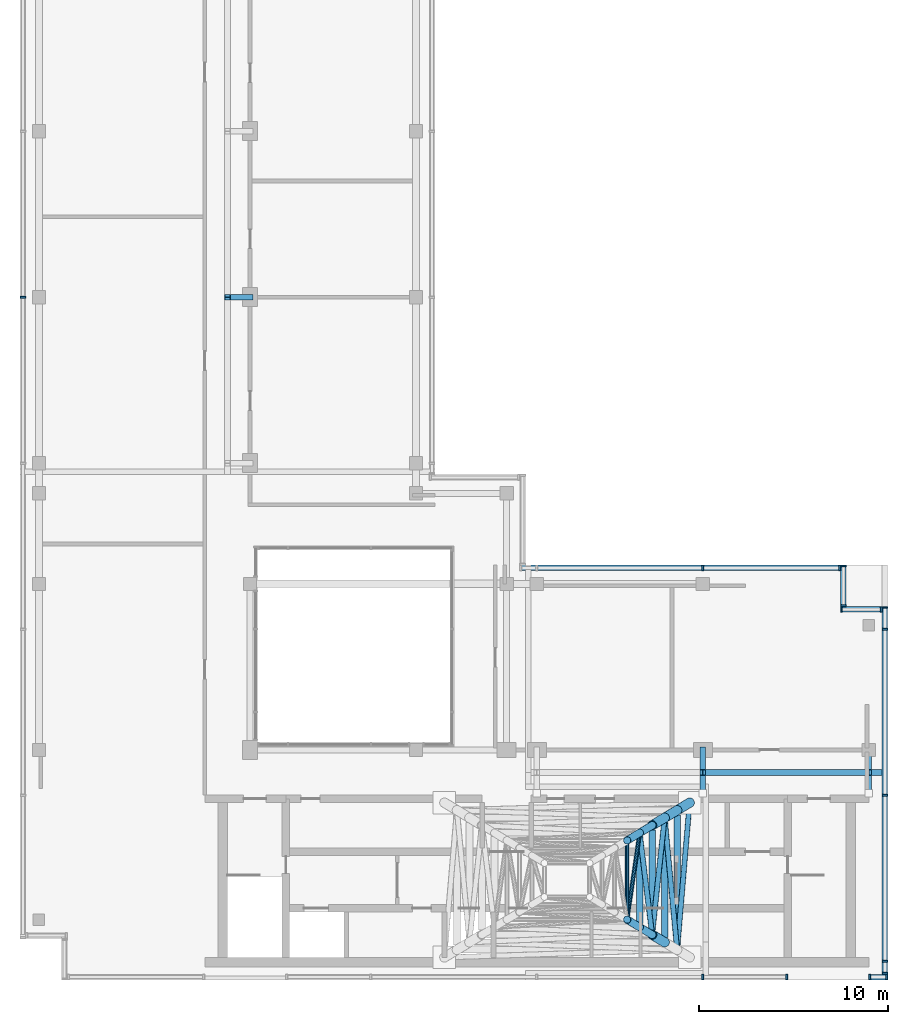
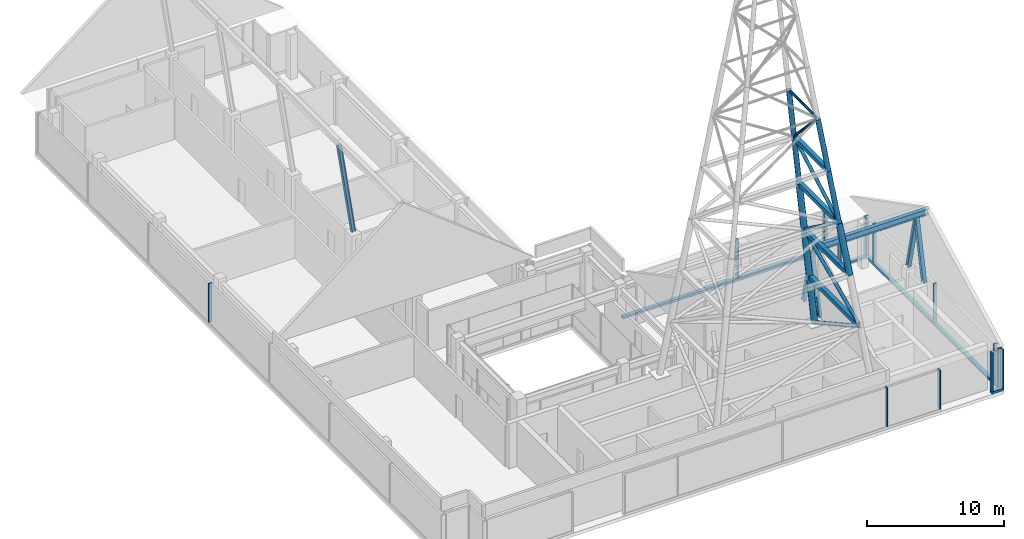
# One storey, part 7 of 13: 44 members, 1 beam, 7 elements without a shape of their own.
"""IFC4 building model written with IfcOpenShell, lengths in metres."""

import ifcopenshell
import ifcopenshell.guid

model = None  # the IFC model being written
_history = None  # IfcOwnerHistory: only IFC2X3 demands one
_inside = {}  # id of a spatial element -> (the spatial element, [elements in it])
_under = {}  # id of a project, library or spatial element -> (it, [spatial elements below it])
_declared = {}  # id of a project -> (the project, [libraries it declares])
_typed = {}  # id of a type object -> (the type object, [elements of that type])
_made_of = {}  # id of a material, layer set ... -> (it, [elements and type objects made of it])


def new_model(schema):
    """Start an empty IFC model of exactly this schema.

    Asked for "IFC4X3", IfcOpenShell would pick the latest addendum, in which some entities
    have other attributes; the version numbers below select the first issue.
    IFC2X3 requires an IfcOwnerHistory on every rooted entity: one is made here for all.
    """
    global model, _history
    if schema == "IFC4X3":
        model = ifcopenshell.file(schema_version=(4, 3, 0, 0))
    else:
        model = ifcopenshell.file(schema=schema)
    _inside.clear()
    _under.clear()
    _declared.clear()
    _typed.clear()
    _made_of.clear()
    _history = None
    if model.schema == "IFC2X3":
        org = make("IfcOrganization", Name="unknown")
        user = make(
            "IfcPersonAndOrganization",
            ThePerson=make("IfcPerson", FamilyName="unknown"),
            TheOrganization=org,
        )
        app = make(
            "IfcApplication",
            ApplicationDeveloper=org,
            Version="unknown",
            ApplicationFullName="unknown",
            ApplicationIdentifier="unknown",
        )
        _history = make(
            "IfcOwnerHistory",
            OwningUser=user,
            OwningApplication=app,
            ChangeAction="ADDED",
            CreationDate=0,
        )
    return model


def make(cls, **values):
    """One entity of the class cls with the attributes given. An attribute that is None is left unset."""
    return model.create_entity(
        cls, **{name: value for name, value in values.items() if value is not None}
    )


def rooted(cls, **values):
    """An entity with a GlobalId (a new one), such as an element, a storey or a relation."""
    return make(cls, GlobalId=ifcopenshell.guid.new(), OwnerHistory=_history, **values)


def si_unit(unit_type, name, prefix=None):
    """IfcSIUnit, for example si_unit("LENGTHUNIT", "METRE", prefix="MILLI")."""
    return make("IfcSIUnit", UnitType=unit_type, Prefix=prefix, Name=name)


def assignment(units):
    """IfcUnitAssignment: the units of a project."""
    return None if units is None else make("IfcUnitAssignment", Units=units)


def point(xyz):
    """IfcCartesianPoint."""
    return None if xyz is None else make("IfcCartesianPoint", Coordinates=xyz)


def direction(xyz):
    """IfcDirection."""
    return None if xyz is None else make("IfcDirection", DirectionRatios=xyz)


def frame(location, z_axis=None, x_axis=None):
    """IfcAxis2Placement3D, a coordinate frame: its origin and axes. An axis left out is left unset."""
    return make(
        "IfcAxis2Placement3D",
        Location=point(location),
        Axis=direction(z_axis),
        RefDirection=direction(x_axis),
    )


def frame_2d(location, x_axis=None):
    """IfcAxis2Placement2D, a coordinate frame in the plane: its origin and x axis."""
    return make(
        "IfcAxis2Placement2D", Location=point(location), RefDirection=direction(x_axis)
    )


def origin():
    """The frame at (0, 0, 0) with its axes left unset."""
    return frame((0.0, 0.0, 0.0))


def origin_2d():
    """The frame at (0, 0) in the plane with its x axis left unset."""
    return frame_2d((0.0, 0.0))


def place(relative_to, where):
    """IfcLocalPlacement: puts the frame where relative to a parent placement (None: the world)."""
    return make(
        "IfcLocalPlacement", PlacementRelTo=relative_to, RelativePlacement=where
    )


def context(
    kind, dimensions, precision=None, world=None, true_north=None, identifier=None
):
    """IfcGeometricRepresentationContext, for example the 3D "Model" context."""
    return make(
        "IfcGeometricRepresentationContext",
        ContextIdentifier=identifier,
        ContextType=kind,
        CoordinateSpaceDimension=dimensions,
        Precision=precision,
        WorldCoordinateSystem=world,
        TrueNorth=true_north,
    )


def subcontext(parent, identifier, kind, view, scale=None):
    """IfcGeometricRepresentationSubContext, for example "Body" below "Model"."""
    return make(
        "IfcGeometricRepresentationSubContext",
        ContextIdentifier=identifier,
        ContextType=kind,
        ParentContext=parent,
        TargetScale=scale,
        TargetView=view,
    )


def project(units=None, contexts=None):
    """IfcProject with its units and contexts."""
    return rooted(
        "IfcProject",
        Name="project",
        RepresentationContexts=contexts,
        UnitsInContext=assignment(units),
    )


def spatial(cls, under=None, at=None, **own):
    """A site, building, storey or space (cls), placed at a placement, below another one or the project."""
    s = rooted(cls, ObjectPlacement=at, **own)
    if under is not None:
        _under.setdefault(under.id(), (under, []))[1].append(s)
    return s


def profile(cls, at=None, kind="AREA", **sizes):
    """A parametric profile (cls). Its sizes go by their IFC names, for example OverallWidth=200.0."""
    return make(cls, ProfileType=kind, Position=at, **sizes)


def rectangle(**sizes):
    """IfcRectangleProfileDef."""
    return profile("IfcRectangleProfileDef", **sizes)


def hollow_rectangle(**sizes):
    """IfcRectangleHollowProfileDef."""
    return profile("IfcRectangleHollowProfileDef", **sizes)


def hollow_circle(**sizes):
    """IfcCircleHollowProfileDef."""
    return profile("IfcCircleHollowProfileDef", **sizes)


def i_section(**sizes):
    """IfcIShapeProfileDef."""
    return profile("IfcIShapeProfileDef", **sizes)


def extrude(swept, where, along, depth):
    """IfcExtrudedAreaSolid: the profile swept, set in the frame where, extruded along a direction by depth."""
    return make(
        "IfcExtrudedAreaSolid",
        SweptArea=swept,
        Position=where,
        ExtrudedDirection=direction(along),
        Depth=depth,
    )


def shape(context_of_items, identifier, shape_type, items):
    """IfcShapeRepresentation: the items that make up one representation, for example the "Body"."""
    return make(
        "IfcShapeRepresentation",
        ContextOfItems=context_of_items,
        RepresentationIdentifier=identifier,
        RepresentationType=shape_type,
        Items=items,
    )


def source(mapping_origin, context_of_items, identifier, shape_type, items):
    """IfcRepresentationMap: a shape defined once, which mapped items show again and again."""
    return make(
        "IfcRepresentationMap",
        MappingOrigin=mapping_origin,
        MappedRepresentation=shape(context_of_items, identifier, shape_type, items),
    )


def transform(
    local_origin,
    x_axis=None,
    y_axis=None,
    z_axis=None,
    scale=None,
    scale2=None,
    scale3=None,
    uniform=True,
):
    """IfcCartesianTransformationOperator3D, or its non-uniform kind. x_axis, y_axis, z_axis: its Axis1, 2, 3."""
    if uniform:
        return make(
            "IfcCartesianTransformationOperator3D",
            Axis1=direction(x_axis),
            Axis2=direction(y_axis),
            LocalOrigin=point(local_origin),
            Scale=scale,
            Axis3=direction(z_axis),
        )
    return make(
        "IfcCartesianTransformationOperator3DnonUniform",
        Axis1=direction(x_axis),
        Axis2=direction(y_axis),
        LocalOrigin=point(local_origin),
        Scale=scale,
        Axis3=direction(z_axis),
        Scale2=scale2,
        Scale3=scale3,
    )


def mapped(mapping_source, mapping_target):
    """IfcMappedItem: shows the shape of a source again, moved by a transform."""
    return make(
        "IfcMappedItem", MappingSource=mapping_source, MappingTarget=mapping_target
    )


def material(Name=None, Category=None):
    """IfcMaterial."""
    return make("IfcMaterial", Name=Name, Category=Category)


def material_profile(
    of_material, cross_section, Name=None, Category=None, Priority=None
):
    """IfcMaterialProfile: a cross section and its material."""
    return make(
        "IfcMaterialProfile",
        Name=Name,
        Material=of_material,
        Profile=cross_section,
        Priority=Priority,
        Category=Category,
    )


def profile_set(profiles, Name=None, composite=None):
    """IfcMaterialProfileSet."""
    return make(
        "IfcMaterialProfileSet",
        Name=Name,
        MaterialProfiles=profiles,
        CompositeProfile=composite,
    )


def made_of(thing, what):
    """Note that an element or type object is made of a material, layer set ...; save() writes the relation."""
    if what is not None:
        _made_of.setdefault(what.id(), (what, []))[1].append(thing)
    return thing


def type_object(cls, material=None, **own):
    """A type object (cls), such as IfcWallType, which elements share."""
    return made_of(rooted(cls, **own), material)


def element(
    cls,
    number,
    at=None,
    inside=None,
    cuts=None,
    type_object=None,
    material=None,
    context=None,
    identifier="Body",
    shape_type=None,
    held_by="IfcProductDefinitionShape",
    body=None,
    shapes=None,
    **own,
):
    """One element of the class cls, such as IfcWall. Its Tag is "e" and its number.

    at: its placement. inside: the storey or other place that contains it. cuts: it is an
    opening in that element (IfcRelVoidsElement). A single representation is given by context,
    identifier, shape_type and body (its items); several are given by shapes. held_by: the class
    of the entity that holds the representations. save() writes the other relations.
    """
    e = rooted(cls, Tag="e%d" % number, ObjectPlacement=at, **own)
    if body is not None:
        shapes = [shape(context, identifier, shape_type, body)]
    if shapes is not None:
        e.Representation = make(held_by, Representations=shapes)
    if inside is not None:
        _inside.setdefault(inside.id(), (inside, []))[1].append(e)
    if cuts is not None:
        rooted(
            "IfcRelVoidsElement", RelatingBuildingElement=cuts, RelatedOpeningElement=e
        )
    if type_object is not None:
        _typed.setdefault(type_object.id(), (type_object, []))[1].append(e)
    return made_of(e, material)


def aggregate(whole, parts):
    """IfcRelAggregates: a whole, such as a stair, and the parts it consists of."""
    return rooted("IfcRelAggregates", RelatingObject=whole, RelatedObjects=parts)


def save(model, path):
    """Write the relations noted so far, then the file.

    IfcRelAggregates (storeys below a building ...), IfcRelContainedInSpatialStructure (elements
    in a storey), IfcRelDefinesByType, IfcRelAssociatesMaterial and IfcRelDeclares: one each for
    every whole, place, type object, material and project.
    """
    for whole, parts in _under.values():
        aggregate(whole, parts)
    for where, things in _inside.values():
        rooted(
            "IfcRelContainedInSpatialStructure",
            RelatedElements=things,
            RelatingStructure=where,
        )
    for kind, things in _typed.values():
        rooted("IfcRelDefinesByType", RelatedObjects=things, RelatingType=kind)
    for what, things in _made_of.values():
        rooted("IfcRelAssociatesMaterial", RelatedObjects=things, RelatingMaterial=what)
    for by, libraries in _declared.values():
        rooted("IfcRelDeclares", RelatingContext=by, RelatedDefinitions=libraries)
    model.write(path)


model = new_model("IFC4")

# Units and contexts
model_context = context("Model", 3, precision=1e-05, world=origin(), true_north=direction((0.0, 1.0)))
body_context = subcontext(model_context, "Body", "Model", "MODEL_VIEW")
ifc_project = project(units=[si_unit("LENGTHUNIT", "METRE"), si_unit("AREAUNIT", "SQUARE_METRE"), si_unit("VOLUMEUNIT", "CUBIC_METRE"), si_unit("PLANEANGLEUNIT", "RADIAN"), si_unit("MASSUNIT", "GRAM", prefix="KILO")], contexts=[model_context])

# Site, building, storey
site_placement = place(None, origin())
site = spatial("IfcSite", under=ifc_project, at=site_placement, CompositionType="ELEMENT")
building_placement = place(site_placement, origin())
building = spatial("IfcBuilding", under=site, at=building_placement, Name="Kemantara Hotel Tower", CompositionType="ELEMENT")
storey_placement = place(building_placement, frame((0.0, 0.0, 330.199951171875)))
storey = spatial("IfcBuildingStorey", under=building, at=storey_placement, Name="L83", CompositionType="ELEMENT", Elevation=330.199951171875)

# Curtain wall, member
ifc_material_1 = material(Name="Aluminium 6063-T6 bronze anodised", Category="aluminium")
curtain_wall_type = type_object("IfcCurtainWallType", Name="CROWN LOUVRE SCREEN WALL", PredefinedType="USERDEFINED", material=ifc_material_1)
curtain_wall_1_placement = place(storey_placement, origin())
curtain_wall_1 = element("IfcCurtainWall", 1, at=curtain_wall_1_placement, inside=storey, type_object=curtain_wall_type, Name="CW7 L83 CRN-R08-3", ObjectType="CROWN LOUVRE SCREEN WALL", PredefinedType="USERDEFINED")
ifc_material_profile_1 = material_profile(ifc_material_1, rectangle(XDim=0.300048828125, YDim=0.199951171875, at=origin_2d()), Name="CROWN LOUVRE SCREEN WALL TRANSOM")
ifc_profile_set_1 = profile_set([ifc_material_profile_1], Name="Aluminium 6063-T6 bronze anodised")
member_type_1 = type_object("IfcMemberType", Name="CROWN LOUVRE SCREEN WALL TRANSOM", PredefinedType="USERDEFINED", material=ifc_profile_set_1)
member_1_placement = place(storey_placement, frame((45.0, 0.14990234375, 0.10009765625), z_axis=(1.0, 0.0, 0.0), x_axis=(0.0, 1.0, 0.0)))
member_1 = element("IfcMember", 2, at=member_1_placement, type_object=member_type_1, Name="CW7 sill transom CRN-R08-3", ObjectType="TRANSOM", PredefinedType="USERDEFINED", context=body_context, shape_type="SweptSolid", body=[
    extrude(rectangle(XDim=0.300048828125, YDim=0.199951171875, at=origin_2d()), origin(), (0.0, 0.0, 1.0), 1.0),
])

curtain_wall_2_placement = place(storey_placement, origin())
curtain_wall_2 = element("IfcCurtainWall", 3, at=curtain_wall_2_placement, inside=storey, type_object=curtain_wall_type, Name="CW7 L83 CRN-R09-1", ObjectType="CROWN LOUVRE SCREEN WALL", PredefinedType="USERDEFINED")
member_2_placement = place(storey_placement, frame((45.85009765625, 0.300048828125, 0.10009765625), z_axis=(0.0, 1.0, 0.0), x_axis=(-1.0, 0.0, 0.0)))
member_2 = element("IfcMember", 4, at=member_2_placement, type_object=member_type_1, Name="CW7 sill transom CRN-R09-1", ObjectType="TRANSOM", PredefinedType="USERDEFINED", context=body_context, shape_type="SweptSolid", body=[
    extrude(rectangle(XDim=0.300048828125, YDim=0.199951171875, at=origin_2d()), origin(), (0.0, 0.0, 1.0), 19.5),
])

curtain_wall_3_placement = place(storey_placement, origin())
curtain_wall_3 = element("IfcCurtainWall", 5, at=curtain_wall_3_placement, inside=storey, type_object=curtain_wall_type, Name="CW7 L83 CRN-R12-1", ObjectType="CROWN LOUVRE SCREEN WALL", PredefinedType="USERDEFINED")
member_3_placement = place(storey_placement, frame((43.5, 21.85009765625, 0.10009765625), z_axis=(-1.0, 0.0, 0.0), x_axis=(0.0, -1.0, 0.0)))
member_3 = element("IfcMember", 6, at=member_3_placement, type_object=member_type_1, Name="CW7 sill transom CRN-R12-1", ObjectType="TRANSOM", PredefinedType="USERDEFINED", context=body_context, shape_type="SweptSolid", body=[
    extrude(rectangle(XDim=0.300048828125, YDim=0.199951171875, at=origin_2d()), origin(), (0.0, 0.0, 1.0), 17.0),
])

curtain_wall_4_placement = place(storey_placement, origin())
curtain_wall_4 = element("IfcCurtainWall", 7, at=curtain_wall_4_placement, inside=storey, type_object=curtain_wall_type, Name="CW7 L83 CRN-R10-1", ObjectType="CROWN LOUVRE SCREEN WALL", PredefinedType="USERDEFINED")
member_4_placement = place(storey_placement, frame((45.699951171875, 19.64990234375, 0.10009765625), z_axis=(-1.0, 0.0, 0.0), x_axis=(0.0, -1.0, 0.0)))
member_4 = element("IfcMember", 8, at=member_4_placement, type_object=member_type_1, Name="CW7 sill transom CRN-R10-1", ObjectType="TRANSOM", PredefinedType="USERDEFINED", context=body_context, shape_type="SweptSolid", body=[
    extrude(rectangle(XDim=0.300048828125, YDim=0.199951171875, at=origin_2d()), origin(), (0.0, 0.0, 1.0), 2.199951171875),
])

curtain_wall_5_placement = place(storey_placement, origin())
curtain_wall_5 = element("IfcCurtainWall", 9, at=curtain_wall_5_placement, inside=storey, type_object=curtain_wall_type, Name="CW7 L83 CRN-R11-1", ObjectType="CROWN LOUVRE SCREEN WALL", PredefinedType="USERDEFINED")
member_5_placement = place(storey_placement, frame((43.64990234375, 19.800048828125, 0.10009765625), z_axis=(0.0, 1.0, 0.0), x_axis=(-1.0, 0.0, 0.0)))
member_5 = element("IfcMember", 10, at=member_5_placement, type_object=member_type_1, Name="CW7 sill transom CRN-R11-1", ObjectType="TRANSOM", PredefinedType="USERDEFINED", context=body_context, shape_type="SweptSolid", body=[
    extrude(rectangle(XDim=0.300048828125, YDim=0.199951171875, at=origin_2d()), origin(), (0.0, 0.0, 1.0), 2.199951171875),
])

# Members
ifc_material_2 = material(Name="Steel ASTM A500 Grade C", Category="steel")
ifc_material_profile_2 = material_profile(ifc_material_2, hollow_circle(Radius=0.109619140625, WallThickness=0.0126953125, at=origin_2d()), Name="HSS219.1X12.7")
ifc_profile_set_2 = profile_set([ifc_material_profile_2], Name="Steel ASTM A500 Grade C")
member_type_2 = type_object("IfcMemberType", Name="MAST BRACE HSS219.1X12.7", PredefinedType="BRACE", material=ifc_profile_set_2)
member_6_placement = place(storey_placement, frame((32.829345703125, 7.6572265625, 22.61328125), z_axis=(-0.101254846097, -0.703094554116, 0.703850484204), x_axis=(0.989788673269, -0.142542563008, 0.0)))
element("IfcMember", 11, at=member_6_placement, inside=storey, type_object=member_type_2, Name="MAST BRACE 2 PANEL 5", PredefinedType="BRACE", context=body_context, shape_type="SweptSolid", body=[
    extrude(hollow_circle(Radius=0.109619140625, WallThickness=0.0126953125, at=origin_2d()), origin(), (0.0, 0.0, 1.0), 6.136474609375),
])
ifc_material_profile_3 = material_profile(ifc_material_2, hollow_circle(Radius=0.136474609375, WallThickness=0.0126953125, at=origin_2d()), Name="HSS273.1X12.7")
ifc_profile_set_3 = profile_set([ifc_material_profile_3], Name="Steel ASTM A500 Grade C")
member_type_3 = type_object("IfcMemberType", Name="MAST BRACE HSS273.1X12.7", PredefinedType="BRACE", material=ifc_profile_set_3)
member_7_placement = place(storey_placement, frame((35.4814453125, 9.181884765625, 4.178955078125), z_axis=(-0.072950331557, -0.858832123505, 0.507036125696), x_axis=(0.996411890939, -0.08463653818, 0.0)))
element("IfcMember", 12, at=member_7_placement, inside=storey, type_object=member_type_3, Name="MAST BRACE 2 PANEL 1", PredefinedType="BRACE", context=body_context, shape_type="SweptSolid", body=[
    extrude(hollow_circle(Radius=0.136474609375, WallThickness=0.0126953125, at=origin_2d()), origin(), (0.0, 0.0, 1.0), 8.57421875),
])
member_8_placement = place(storey_placement, frame((34.8173828125, 1.8115234375, 8.794189453125), z_axis=(-0.078802367114, 0.832819524391, 0.547906768283), x_axis=(-0.99555325321, -0.094200424753, 0.0)))
element("IfcMember", 13, at=member_8_placement, inside=storey, type_object=member_type_3, Name="MAST BRACE 2 PANEL 2", PredefinedType="BRACE", context=body_context, shape_type="SweptSolid", body=[
    extrude(hollow_circle(Radius=0.136474609375, WallThickness=0.0126953125, at=origin_2d()), origin(), (0.0, 0.0, 1.0), 7.897216796875),
])
member_9_placement = place(storey_placement, frame((34.1533203125, 8.396728515625, 13.4111328125), z_axis=(-0.085477855, -0.799838130578, 0.594098056872), x_axis=(0.994337968118, -0.106263846909, 0.0)))
element("IfcMember", 14, at=member_9_placement, inside=storey, type_object=member_type_3, Name="MAST BRACE 2 PANEL 3", PredefinedType="BRACE", context=body_context, shape_type="SweptSolid", body=[
    extrude(hollow_circle(Radius=0.136474609375, WallThickness=0.0126953125, at=origin_2d()), origin(), (0.0, 0.0, 1.0), 7.243408203125),
])
member_10_placement = place(storey_placement, frame((33.49365234375, 2.553955078125, 17.99658203125), z_axis=(-0.092950726066, 0.757590188963, 0.646078376137), x_axis=(-0.992557185913, -0.121779442813, 0.0)))
element("IfcMember", 15, at=member_10_placement, inside=storey, type_object=member_type_3, Name="MAST BRACE 2 PANEL 4", PredefinedType="BRACE", context=body_context, shape_type="SweptSolid", body=[
    extrude(hollow_circle(Radius=0.136474609375, WallThickness=0.0126953125, at=origin_2d()), origin(), (0.0, 0.0, 1.0), 6.721435546875),
])
ifc_material_profile_4 = material_profile(ifc_material_2, hollow_circle(Radius=0.203125, WallThickness=0.0126953125, at=origin_2d()), Name="HSS406.4X12.7")
ifc_profile_set_4 = profile_set([ifc_material_profile_4], Name="Steel ASTM A500 Grade C")
member_type_4 = type_object("IfcMemberType", Name="MAST LEG HSS406.4X12.7", PredefinedType="POST", material=ifc_profile_set_4)
for number, where, z_axis, x_axis, name in (
    (16, (33.512451171875, 2.39990234375, 17.865234375), (-0.141845329923, 0.085692773957, 0.98617272872), (-0.517091564012, -0.855930087348, 0.0), "MAST LEG 2 PANEL 4"),
    (17, (33.512451171875, 8.199951171875, 17.865234375), (-0.141845965247, -0.085640873968, 0.986177145775), (0.516860372783, -0.856069713894, 0.0), "MAST LEG 3 PANEL 4"),
):
    element("IfcMember", number, at=place(storey_placement, frame(where, z_axis=z_axis, x_axis=x_axis)), inside=storey, type_object=member_type_4, Name=name, PredefinedType="POST", context=body_context, shape_type="SweptSolid", body=[
        extrude(hollow_circle(Radius=0.203125, WallThickness=0.0126953125, at=origin_2d()), origin(), (0.0, 0.0, 1.0), 4.66943359375),
    ])
for number, where, z_axis, x_axis, name in (
    (18, (32.85009765625, 2.800048828125, 22.47021484375), (-0.141889880624, 0.085635823309, 0.986171266841), (-0.516720785523, -0.856153975525, 0.0), "MAST LEG 2 PANEL 5"),
    (19, (32.85009765625, 7.800048828125, 22.47021484375), (-0.141889245179, -0.085687720283, 0.986166850333), (0.516951959847, -0.856014410632, 0.0), "MAST LEG 3 PANEL 5"),
):
    element("IfcMember", number, at=place(storey_placement, frame(where, z_axis=z_axis, x_axis=x_axis)), inside=storey, type_object=member_type_4, Name=name, PredefinedType="POST", context=body_context, shape_type="SweptSolid", body=[
        extrude(hollow_circle(Radius=0.203125, WallThickness=0.0126953125, at=origin_2d()), origin(), (0.0, 0.0, 1.0), 4.669921875),
    ])
ifc_material_profile_5 = material_profile(ifc_material_2, hollow_circle(Radius=0.25390625, WallThickness=0.0126953125, at=origin_2d()), Name="HSS508X12.7")
ifc_profile_set_5 = profile_set([ifc_material_profile_5], Name="Steel ASTM A500 Grade C")
member_type_5 = type_object("IfcMemberType", Name="MAST LEG HSS508X12.7", PredefinedType="POST", material=ifc_profile_set_5)
for number, where, z_axis, x_axis, name in (
    (20, (35.5, 9.39990234375, 4.050048828125), (-0.141897196518, -0.085640238724, 0.986169830775), (0.516720785523, -0.856153975525, 0.0), "MAST LEG 3 PANEL 1"),
    (21, (34.83740234375, 9.0, 8.655029296875), (-0.141838651886, -0.085636458455, 0.986178581097), (0.516860372783, -0.856069713894, 0.0), "MAST LEG 3 PANEL 2"),
    (22, (34.175048828125, 2.0, 13.26025390625), (-0.141897196518, 0.085640238724, 0.986169830775), (-0.516720785523, -0.856153975525, 0.0), "MAST LEG 2 PANEL 3"),
    (23, (34.175048828125, 8.60009765625, 13.26025390625), (-0.141896560975, -0.085692138334, 0.986165413818), (0.516951959847, -0.856014410632, 0.0), "MAST LEG 3 PANEL 3"),
):
    element("IfcMember", number, at=place(storey_placement, frame(where, z_axis=z_axis, x_axis=x_axis)), inside=storey, type_object=member_type_5, Name=name, PredefinedType="POST", context=body_context, shape_type="SweptSolid", body=[
        extrude(hollow_circle(Radius=0.25390625, WallThickness=0.0126953125, at=origin_2d()), origin(), (0.0, 0.0, 1.0), 4.669677734375),
    ])
ifc_material_profile_6 = material_profile(ifc_material_2, hollow_circle(Radius=0.109619140625, WallThickness=0.0126953125, at=origin_2d()), Name="HSS219.1X12.7")
ifc_profile_set_6 = profile_set([ifc_material_profile_6], Name="Steel ASTM A500 Grade C")
member_type_6 = type_object("IfcMemberType", Name="MAST STRUT HSS219.1X12.7", PredefinedType="STRUT", material=ifc_profile_set_6)
member_11_placement = place(storey_placement, frame((32.1875, 3.4033203125, 27.075439453125), z_axis=(0.0, 1.0, 0.0), x_axis=(-1.0, 0.0, 0.0)))
element("IfcMember", 24, at=member_11_placement, inside=storey, type_object=member_type_6, Name="MAST STRUT 2 LEVEL 5", PredefinedType="STRUT", context=body_context, shape_type="SweptSolid", body=[
    extrude(hollow_circle(Radius=0.109619140625, WallThickness=0.0126953125, at=origin_2d()), origin(), (0.0, 0.0, 1.0), 3.79345703125),
])
ifc_material_profile_7 = material_profile(ifc_material_2, hollow_rectangle(XDim=0.355712890625, YDim=0.355712890625, WallThickness=0.0126953125, at=origin_2d()), Name="HSS355.6X355.6X12.7")
ifc_profile_set_7 = profile_set([ifc_material_profile_7], Name="Steel ASTM A500 Grade C")
member_type_7 = type_object("IfcMemberType", Name="MAST STRUT HSS355.6X355.6X12.7", PredefinedType="STRUT", material=ifc_profile_set_7)
member_12_placement = place(storey_placement, frame((34.83740234375, 1.85400390625, 8.655029296875), z_axis=(0.0, 1.0, 0.0), x_axis=(-1.0, 0.0, 0.0)))
element("IfcMember", 25, at=member_12_placement, inside=storey, type_object=member_type_7, Name="MAST STRUT 2 LEVEL 1", PredefinedType="STRUT", context=body_context, shape_type="SweptSolid", body=[
    extrude(hollow_rectangle(XDim=0.355712890625, YDim=0.355712890625, WallThickness=0.0126953125, at=origin_2d()), origin(), (0.0, 0.0, 1.0), 6.89208984375),
])
member_13_placement = place(storey_placement, frame((34.175048828125, 2.25390625, 13.26025390625), z_axis=(0.0, 1.0, 0.0), x_axis=(-1.0, 0.0, 0.0)))
element("IfcMember", 26, at=member_13_placement, inside=storey, type_object=member_type_7, Name="MAST STRUT 2 LEVEL 2", PredefinedType="STRUT", context=body_context, shape_type="SweptSolid", body=[
    extrude(hollow_rectangle(XDim=0.355712890625, YDim=0.355712890625, WallThickness=0.0126953125, at=origin_2d()), origin(), (0.0, 0.0, 1.0), 6.092041015625),
])
member_14_placement = place(storey_placement, frame((33.512451171875, 2.654052734375, 17.865234375), z_axis=(0.0, 1.0, 0.0), x_axis=(-1.0, 0.0, 0.0)))
element("IfcMember", 27, at=member_14_placement, inside=storey, type_object=member_type_7, Name="MAST STRUT 2 LEVEL 3", PredefinedType="STRUT", context=body_context, shape_type="SweptSolid", body=[
    extrude(hollow_rectangle(XDim=0.355712890625, YDim=0.355712890625, WallThickness=0.0126953125, at=origin_2d()), origin(), (0.0, 0.0, 1.0), 5.2919921875),
])
member_15_placement = place(storey_placement, frame((32.85009765625, 3.003173828125, 22.47021484375), z_axis=(0.0, 1.0, 0.0), x_axis=(-1.0, 0.0, 0.0)))
element("IfcMember", 28, at=member_15_placement, inside=storey, type_object=member_type_7, Name="MAST STRUT 2 LEVEL 4", PredefinedType="STRUT", context=body_context, shape_type="SweptSolid", body=[
    extrude(hollow_rectangle(XDim=0.355712890625, YDim=0.355712890625, WallThickness=0.0126953125, at=origin_2d()), origin(), (0.0, 0.0, 1.0), 4.593505859375),
])
ifc_material_3 = material(Name="Steel ASTM A992 Grade 50", Category="steel")
ifc_material_profile_8 = material_profile(ifc_material_3, i_section(OverallWidth=0.304931640625, OverallDepth=0.306884765625, WebThickness=0.010009765625, FlangeThickness=0.015380859375, at=origin_2d()), Name="W310X97")
ifc_profile_set_8 = profile_set([ifc_material_profile_8], Name="Steel ASTM A992 Grade 50")
member_type_8 = type_object("IfcMemberType", Name="ROOF RIDGE A-FRAME W310X97", PredefinedType="BRACE", material=ifc_profile_set_8)
member_16_placement = place(storey_placement, frame((36.199951171875, 9.89990234375, 4.0), z_axis=(0.0, 0.20991084039, 0.977720532201), x_axis=(-1.0, 0.0, 0.0)))
element("IfcMember", 29, at=member_16_placement, inside=storey, type_object=member_type_8, Name="PEAK A RIDGE A-FRAME 2 LEG 1", PredefinedType="BRACE", context=body_context, shape_type="SweptSolid", body=[
    extrude(i_section(OverallWidth=0.304931640625, OverallDepth=0.306884765625, WebThickness=0.010009765625, FlangeThickness=0.015380859375, at=origin_2d()), origin(), (0.0, 0.0, 1.0), 5.24072265625),
])
member_17_placement = place(storey_placement, frame((36.199951171875, 12.199951171875, 4.0), z_axis=(0.0, -0.228012668335, 0.973658165415), x_axis=(1.0, 0.0, 0.0)))
element("IfcMember", 30, at=member_17_placement, inside=storey, type_object=member_type_8, Name="PEAK A RIDGE A-FRAME 2 LEG 2", PredefinedType="BRACE", context=body_context, shape_type="SweptSolid", body=[
    extrude(i_section(OverallWidth=0.304931640625, OverallDepth=0.306884765625, WebThickness=0.010009765625, FlangeThickness=0.015380859375, at=origin_2d()), origin(), (0.0, 0.0, 1.0), 5.2626953125),
])
member_18_placement = place(storey_placement, frame((45.0, 9.89990234375, 4.0), z_axis=(0.0, 0.20991084039, 0.977720532201), x_axis=(-1.0, 0.0, 0.0)))
element("IfcMember", 31, at=member_18_placement, inside=storey, type_object=member_type_8, Name="PEAK A RIDGE A-FRAME 3 LEG 1", PredefinedType="BRACE", context=body_context, shape_type="SweptSolid", body=[
    extrude(i_section(OverallWidth=0.304931640625, OverallDepth=0.306884765625, WebThickness=0.010009765625, FlangeThickness=0.015380859375, at=origin_2d()), origin(), (0.0, 0.0, 1.0), 5.24072265625),
])
member_19_placement = place(storey_placement, frame((45.0, 12.199951171875, 4.0), z_axis=(0.0, -0.228012668335, 0.973658165415), x_axis=(1.0, 0.0, 0.0)))
element("IfcMember", 32, at=member_19_placement, inside=storey, type_object=member_type_8, Name="PEAK A RIDGE A-FRAME 3 LEG 2", PredefinedType="BRACE", context=body_context, shape_type="SweptSolid", body=[
    extrude(i_section(OverallWidth=0.304931640625, OverallDepth=0.306884765625, WebThickness=0.010009765625, FlangeThickness=0.015380859375, at=origin_2d()), origin(), (0.0, 0.0, 1.0), 5.2626953125),
])
member_20_placement = place(storey_placement, frame((12.199951171875, 36.199951171875, 4.0), z_axis=(-0.14611875183, 0.0, 0.989267057151), x_axis=(0.0, -1.0, 0.0)))
element("IfcMember", 33, at=member_20_placement, inside=storey, type_object=member_type_8, Name="PEAK B RIDGE A-FRAME 2 LEG 2", PredefinedType="BRACE", context=body_context, shape_type="SweptSolid", body=[
    extrude(i_section(OverallWidth=0.304931640625, OverallDepth=0.306884765625, WebThickness=0.010009765625, FlangeThickness=0.015380859375, at=origin_2d()), origin(), (0.0, 0.0, 1.0), 8.212158203125),
])

# Beam
ifc_material_profile_9 = material_profile(ifc_material_3, i_section(OverallWidth=0.31201171875, OverallDepth=0.5439453125, WebThickness=0.0126953125, FlangeThickness=0.020263671875, at=origin_2d()), Name="W530X150")
ifc_profile_set_9 = profile_set([ifc_material_profile_9], Name="Steel ASTM A992 Grade 50")
beam_type = type_object("IfcBeamType", Name="ROOF RIDGE BEAM W530X150", PredefinedType="BEAM", material=ifc_profile_set_9)
beam_placement = place(storey_placement, frame((36.199951171875, 11.0, 9.328125), z_axis=(1.0, 0.0, 0.0), x_axis=(0.0, 1.0, 0.0)))
element("IfcBeam", 34, at=beam_placement, inside=storey, type_object=beam_type, Name="PEAK A RIDGE BEAM 2", PredefinedType="BEAM", context=body_context, shape_type="SweptSolid", body=[
    extrude(i_section(OverallWidth=0.31201171875, OverallDepth=0.5439453125, WebThickness=0.0126953125, FlangeThickness=0.020263671875, at=origin_2d()), origin(), (0.0, 0.0, 1.0), 9.800048828125),
])

# Curtain wall, member
curtain_wall_6_placement = place(storey_placement, origin())
curtain_wall_6 = element("IfcCurtainWall", 35, at=curtain_wall_6_placement, inside=storey, type_object=curtain_wall_type, Name="CW7 L83 CRN-R05-1", ObjectType="CROWN LOUVRE SCREEN WALL", PredefinedType="USERDEFINED")
ifc_material_profile_10 = material_profile(ifc_material_1, rectangle(XDim=0.300048828125, YDim=0.10009765625, at=origin_2d()), Name="CROWN LOUVRE SCREEN WALL MULLION")
ifc_profile_set_10 = profile_set([ifc_material_profile_10], Name="Aluminium 6063-T6 bronze anodised")
member_type_9 = type_object("IfcMemberType", Name="CROWN LOUVRE SCREEN WALL MULLION", PredefinedType="MULLION", material=ifc_profile_set_10)
shared_shape = source(origin(), body_context, "Body", "SweptSolid", [
    extrude(rectangle(XDim=0.300048828125, YDim=0.10009765625, at=origin_2d()), origin(), (0.0, 0.0, 1.0), 3.4501953125),
])
member_21_placement = place(storey_placement, frame((0.14990234375, 36.199951171875, 0.199951171875), z_axis=(0.0, 0.0, 1.0), x_axis=(1.0, 0.0, 0.0)))
member_21 = element("IfcMember", 36, at=member_21_placement, type_object=member_type_9, Name="CW7 mullion CRN-R05-1.4", PredefinedType="MULLION", context=body_context, shape_type="MappedRepresentation", body=[
    mapped(shared_shape, transform((0.0, 0.0, 0.0))),
])
aggregate(curtain_wall_6, [member_21])

# Curtain wall, members
curtain_wall_7_placement = place(storey_placement, origin())
curtain_wall_7 = element("IfcCurtainWall", 37, at=curtain_wall_7_placement, inside=storey, type_object=curtain_wall_type, Name="CW7 L83 CRN-R08-2", ObjectType="CROWN LOUVRE SCREEN WALL", PredefinedType="USERDEFINED")
member_22_placement = place(storey_placement, frame((36.199951171875, 0.14990234375, 0.199951171875), z_axis=(0.0, 0.0, 1.0), x_axis=(0.0, 1.0, 0.0)))
member_22 = element("IfcMember", 38, at=member_22_placement, type_object=member_type_9, Name="CW7 mullion CRN-R08-2.4", PredefinedType="MULLION", context=body_context, shape_type="MappedRepresentation", body=[
    mapped(shared_shape, transform((0.0, 0.0, 0.0))),
])
member_23_placement = place(storey_placement, frame((40.64990234375, 0.14990234375, 0.199951171875), z_axis=(0.0, 0.0, 1.0), x_axis=(0.0, 1.0, 0.0)))
member_23 = element("IfcMember", 39, at=member_23_placement, type_object=member_type_9, Name="CW7 mullion CRN-R08-2.5", PredefinedType="MULLION", context=body_context, shape_type="MappedRepresentation", body=[
    mapped(shared_shape, transform((0.0, 0.0, 0.0))),
])
aggregate(curtain_wall_7, [member_22, member_23])

# Member
member_24_placement = place(storey_placement, frame((45.050048828125, 0.14990234375, 0.199951171875), z_axis=(0.0, 0.0, 1.0), x_axis=(0.0, 1.0, 0.0)))
member_24 = element("IfcMember", 40, at=member_24_placement, type_object=member_type_9, Name="CW7 mullion CRN-R08-3.1", PredefinedType="MULLION", context=body_context, shape_type="MappedRepresentation", body=[
    mapped(shared_shape, transform((0.0, 0.0, 0.0))),
])

member_25_placement = place(storey_placement, frame((45.949951171875, 0.14990234375, 0.199951171875), z_axis=(0.0, 0.0, 1.0), x_axis=(0.0, 1.0, 0.0)))
member_25 = element("IfcMember", 41, at=member_25_placement, type_object=member_type_9, Name="CW7 mullion CRN-R08-3.2", PredefinedType="MULLION", context=body_context, shape_type="MappedRepresentation", body=[
    mapped(shared_shape, transform((0.0, 0.0, 0.0))),
])

aggregate(curtain_wall_1, [member_1, member_24, member_25])

member_26_placement = place(storey_placement, frame((45.85009765625, 0.35009765625, 0.199951171875), z_axis=(0.0, 0.0, 1.0), x_axis=(-1.0, 0.0, 0.0)))
member_26 = element("IfcMember", 42, at=member_26_placement, type_object=member_type_9, Name="CW7 mullion CRN-R09-1.1", PredefinedType="MULLION", context=body_context, shape_type="MappedRepresentation", body=[
    mapped(shared_shape, transform((0.0, 0.0, 0.0))),
])

member_27_placement = place(storey_placement, frame((45.85009765625, 1.0, 0.199951171875), z_axis=(0.0, 0.0, 1.0), x_axis=(-1.0, 0.0, 0.0)))
member_27 = element("IfcMember", 43, at=member_27_placement, type_object=member_type_9, Name="CW7 mullion CRN-R09-1.2", PredefinedType="MULLION", context=body_context, shape_type="MappedRepresentation", body=[
    mapped(shared_shape, transform((0.0, 0.0, 0.0))),
])

member_28_placement = place(storey_placement, frame((45.85009765625, 9.800048828125, 0.199951171875), z_axis=(0.0, 0.0, 1.0), x_axis=(-1.0, 0.0, 0.0)))
member_28 = element("IfcMember", 44, at=member_28_placement, type_object=member_type_9, Name="CW7 mullion CRN-R09-1.3", PredefinedType="MULLION", context=body_context, shape_type="MappedRepresentation", body=[
    mapped(shared_shape, transform((0.0, 0.0, 0.0))),
])

member_29_placement = place(storey_placement, frame((45.85009765625, 18.60009765625, 0.199951171875), z_axis=(0.0, 0.0, 1.0), x_axis=(-1.0, 0.0, 0.0)))
member_29 = element("IfcMember", 45, at=member_29_placement, type_object=member_type_9, Name="CW7 mullion CRN-R09-1.4", PredefinedType="MULLION", context=body_context, shape_type="MappedRepresentation", body=[
    mapped(shared_shape, transform((0.0, 0.0, 0.0))),
])

member_30_placement = place(storey_placement, frame((45.85009765625, 19.75, 0.199951171875), z_axis=(0.0, 0.0, 1.0), x_axis=(-1.0, 0.0, 0.0)))
member_30 = element("IfcMember", 46, at=member_30_placement, type_object=member_type_9, Name="CW7 mullion CRN-R09-1.5", PredefinedType="MULLION", context=body_context, shape_type="MappedRepresentation", body=[
    mapped(shared_shape, transform((0.0, 0.0, 0.0))),
])

aggregate(curtain_wall_2, [member_2, member_26, member_27, member_28, member_29, member_30])

member_31_placement = place(storey_placement, frame((43.449951171875, 21.85009765625, 0.199951171875), z_axis=(0.0, 0.0, 1.0), x_axis=(0.0, -1.0, 0.0)))
member_31 = element("IfcMember", 47, at=member_31_placement, type_object=member_type_9, Name="CW7 mullion CRN-R12-1.1", PredefinedType="MULLION", context=body_context, shape_type="MappedRepresentation", body=[
    mapped(shared_shape, transform((0.0, 0.0, 0.0))),
])

member_32_placement = place(storey_placement, frame((36.199951171875, 21.85009765625, 0.199951171875), z_axis=(0.0, 0.0, 1.0), x_axis=(0.0, -1.0, 0.0)))
member_32 = element("IfcMember", 48, at=member_32_placement, type_object=member_type_9, Name="CW7 mullion CRN-R12-1.2", PredefinedType="MULLION", context=body_context, shape_type="MappedRepresentation", body=[
    mapped(shared_shape, transform((0.0, 0.0, 0.0))),
])

aggregate(curtain_wall_3, [member_3, member_31, member_32])

member_33_placement = place(storey_placement, frame((45.64990234375, 19.64990234375, 0.199951171875), z_axis=(0.0, 0.0, 1.0), x_axis=(0.0, -1.0, 0.0)))
member_33 = element("IfcMember", 49, at=member_33_placement, type_object=member_type_9, Name="CW7 mullion CRN-R10-1.1", PredefinedType="MULLION", context=body_context, shape_type="MappedRepresentation", body=[
    mapped(shared_shape, transform((0.0, 0.0, 0.0))),
])

member_34_placement = place(storey_placement, frame((43.550048828125, 19.64990234375, 0.199951171875), z_axis=(0.0, 0.0, 1.0), x_axis=(0.0, -1.0, 0.0)))
member_34 = element("IfcMember", 50, at=member_34_placement, type_object=member_type_9, Name="CW7 mullion CRN-R10-1.2", PredefinedType="MULLION", context=body_context, shape_type="MappedRepresentation", body=[
    mapped(shared_shape, transform((0.0, 0.0, 0.0))),
])

aggregate(curtain_wall_4, [member_4, member_33, member_34])

member_35_placement = place(storey_placement, frame((43.64990234375, 19.85009765625, 0.199951171875), z_axis=(0.0, 0.0, 1.0), x_axis=(-1.0, 0.0, 0.0)))
member_35 = element("IfcMember", 51, at=member_35_placement, type_object=member_type_9, Name="CW7 mullion CRN-R11-1.1", PredefinedType="MULLION", context=body_context, shape_type="MappedRepresentation", body=[
    mapped(shared_shape, transform((0.0, 0.0, 0.0))),
])

member_36_placement = place(storey_placement, frame((43.64990234375, 21.949951171875, 0.199951171875), z_axis=(0.0, 0.0, 1.0), x_axis=(-1.0, 0.0, 0.0)))
member_36 = element("IfcMember", 52, at=member_36_placement, type_object=member_type_9, Name="CW7 mullion CRN-R11-1.2", PredefinedType="MULLION", context=body_context, shape_type="MappedRepresentation", body=[
    mapped(shared_shape, transform((0.0, 0.0, 0.0))),
])

aggregate(curtain_wall_5, [member_5, member_35, member_36])

save(model, "model.ifc")
